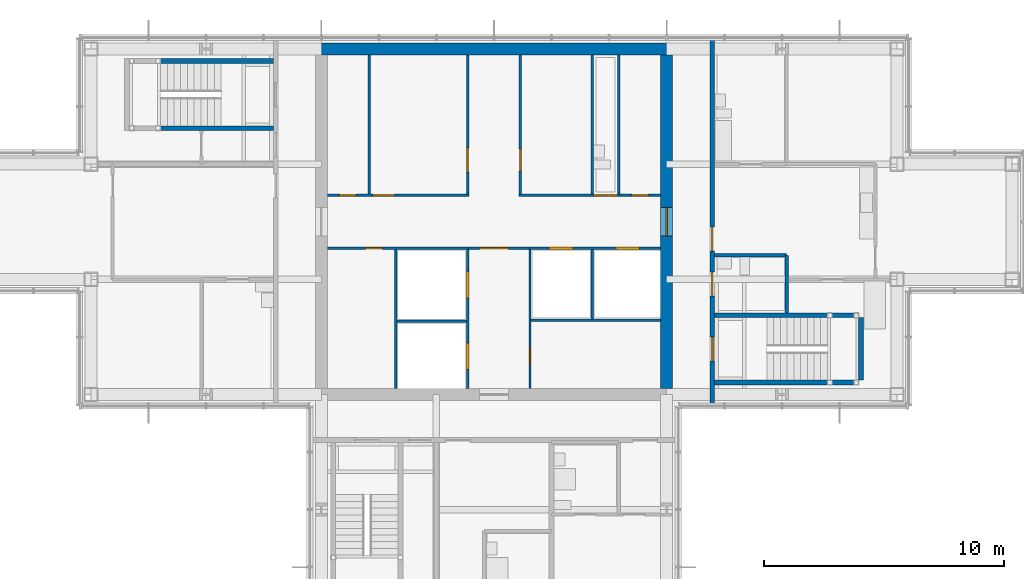
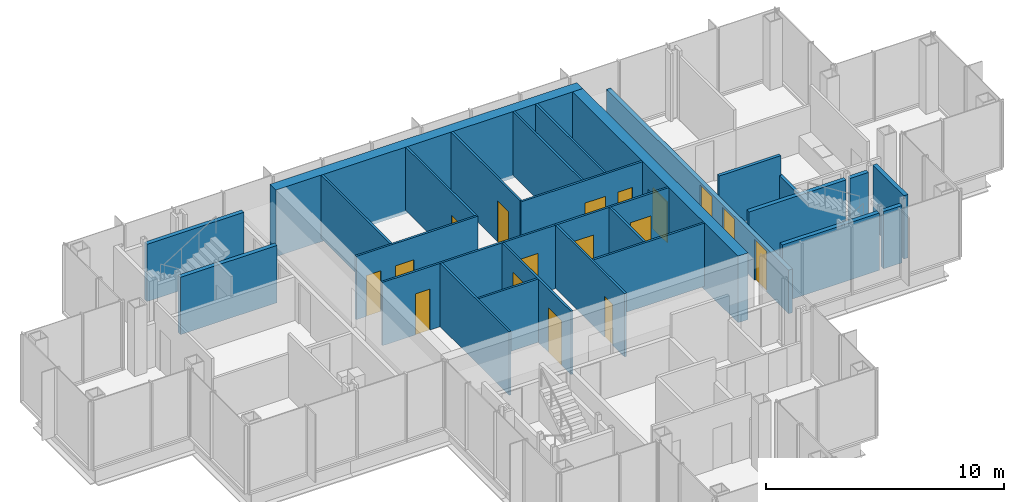
# One storey, part 11 of 15: 28 walls, 17 doors, 17 openings.
"""IFC4 building model written with IfcOpenShell, lengths in metres."""

from ifc_helpers import new_model, si_unit, direction, frame, frame_2d, origin, place, context, subcontext, project, spatial, rectangle, extrude, material, layer, layer_set, type_object, element, fill, save


model = new_model("IFC4")

# Units and contexts
model_context = context("Model", 3, precision=1e-05, world=origin(), true_north=direction((0.0, 1.0)))
body_context = subcontext(model_context, "Body", "Model", "MODEL_VIEW")
ifc_project = project(units=[si_unit("LENGTHUNIT", "METRE"), si_unit("AREAUNIT", "SQUARE_METRE"), si_unit("VOLUMEUNIT", "CUBIC_METRE"), si_unit("PLANEANGLEUNIT", "RADIAN"), si_unit("MASSUNIT", "GRAM", prefix="KILO")], contexts=[model_context])

# Site, building, storey
site_placement = place(None, origin())
site = spatial("IfcSite", under=ifc_project, at=site_placement, CompositionType="ELEMENT")
building_placement = place(site_placement, origin())
building = spatial("IfcBuilding", under=site, at=building_placement, Name="Kvirike Care Tower", CompositionType="ELEMENT")
storey_placement = place(building_placement, frame((0.0, 0.0, 240.0)))
storey = spatial("IfcBuildingStorey", under=building, at=storey_placement, Name="L66", CompositionType="ELEMENT", Elevation=240.0)

# Walls
ifc_material_1 = material(Name="Moisture-resistant board partition", Category="gypsum")
ifc_layer_1 = layer(ifc_material_1, 0.14990234375)
ifc_layer_set_1 = layer_set([ifc_layer_1], Name="BATHROOM WALL 150")
wall_type_1 = type_object("IfcWallType", Name="BATHROOM WALL 150", PredefinedType="PARTITIONING", material=ifc_layer_set_1)
wall_1_placement = place(storey_placement, frame((33.800048828125, 32.199951171875, 0.0), z_axis=(0.0, 0.0, 1.0), x_axis=(0.0, 1.0, 0.0)))
element("IfcWall", 1, at=wall_1_placement, inside=storey, type_object=wall_type_1, Name="Bathroom Wall 150 L66", PredefinedType="PARTITIONING", context=body_context, shape_type="SweptSolid", body=[
    extrude(rectangle(XDim=2.400146484375, YDim=0.14990234375, at=frame_2d((1.2001953125, 0.0))), origin(), (0.0, 0.0, 1.0), 2.239990234375),
])
wall_2_placement = place(storey_placement, frame((33.800048828125, 34.60009765625, 0.0), z_axis=(0.0, 0.0, 1.0), x_axis=(-1.0, 0.0, 0.0)))
element("IfcWall", 2, at=wall_2_placement, inside=storey, type_object=wall_type_1, Name="Bathroom Wall 150 L66", PredefinedType="PARTITIONING", context=body_context, shape_type="SweptSolid", body=[
    extrude(rectangle(XDim=3.0, YDim=0.14990234375, at=frame_2d((1.5, 0.0))), origin(), (0.0, 0.0, 1.0), 3.25),
])
ifc_material_2 = material(Name="Concrete C40/50", Category="concrete")
ifc_layer_2 = layer(ifc_material_2, 0.5)
ifc_layer_set_2 = layer_set([ifc_layer_2], Name="CORE WALL 500 C40-50")
wall_type_2 = type_object("IfcWallType", Name="CORE WALL 500 C40-50", PredefinedType="SHEAR", material=ifc_layer_set_2)
wall_3_placement = place(storey_placement, frame((29.050048828125, 43.199951171875, -0.169921875), z_axis=(0.0, 0.0, 1.0), x_axis=(-1.0, 0.0, 0.0)))
element("IfcWall", 3, at=wall_3_placement, inside=storey, type_object=wall_type_2, Name="Core wall N L66", PredefinedType="SHEAR", context=body_context, shape_type="SweptSolid", body=[
    extrude(rectangle(XDim=14.900146484375, YDim=0.5, at=frame_2d((7.4501953125, 0.0))), origin(), (0.0, 0.0, 1.0), 3.419921875),
])

# Wall, opening, door
wall_4_placement = place(storey_placement, frame((28.800048828125, 29.050048828125, -0.169921875), z_axis=(0.0, 0.0, 1.0), x_axis=(0.0, 1.0, 0.0)))
wall_4 = element("IfcWall", 4, at=wall_4_placement, inside=storey, type_object=wall_type_2, Name="Core wall E L66", PredefinedType="SHEAR", context=body_context, shape_type="SweptSolid", body=[
    extrude(rectangle(XDim=13.89990234375, YDim=0.5, at=frame_2d((6.949951171875, 0.0))), origin(), (0.0, 0.0, 1.0), 3.419921875),
])
opening_1_placement = place(wall_4_placement, frame((6.35009765625, 0.0, 0.169921875)))
opening_1 = element("IfcOpeningElement", 5, at=opening_1_placement, cuts=wall_4, Name="Opening 66-036", PredefinedType="OPENING", context=body_context, shape_type="SweptSolid", body=[
    extrude(rectangle(XDim=1.199951171875, YDim=2.10009765625, at=frame_2d((0.60009765625, 1.050048828125))), frame((0.0, 0.260498046875, 0.0), z_axis=(0.0, -1.0, 0.0), x_axis=(1.0, 0.0, 0.0)), (0.0, 0.0, 1.0), 0.52099609375),
])
ifc_material_3 = material(Name="Timber door set", Category="wood")
door_type_1 = type_object("IfcDoorType", Name="CORE DOOR 1200", OperationType="SINGLE_SWING_LEFT", PredefinedType="DOOR", material=ifc_material_3)
door_1_placement = place(opening_1_placement, origin())
door_1 = element("IfcDoor", 6, at=door_1_placement, inside=storey, type_object=door_type_1, Name="Core door E L66", OperationType="SINGLE_SWING_LEFT", OverallHeight=2.10009765625, OverallWidth=1.199951171875, PredefinedType="DOOR", context=body_context, shape_type="SweptSolid", body=[
    extrude(rectangle(XDim=1.199951171875, YDim=2.10009765625, at=frame_2d((0.60009765625, 1.050048828125))), frame((0.0, 0.02685546875, 0.0), z_axis=(0.0, -1.0, 0.0), x_axis=(1.0, 0.0, 0.0)), (0.0, 0.0, 1.0), 0.053955078125),
])
fill(opening_1, door_1)

# Wall, openings, doors
ifc_material_4 = material(Name="Plasterboard corridor wall", Category="gypsum")
ifc_layer_3 = layer(ifc_material_4, 0.199951171875)
ifc_layer_set_3 = layer_set([ifc_layer_3], Name="CORRIDOR WALL 200")
wall_type_3 = type_object("IfcWallType", Name="CORRIDOR WALL 200", PredefinedType="PARTITIONING", material=ifc_layer_set_3)
wall_5_placement = place(storey_placement, frame((30.699951171875, 28.344970703125, 0.0), z_axis=(0.0, 0.0, 1.0), x_axis=(0.0, 1.0, 0.0)))
wall_5 = element("IfcWall", 7, at=wall_5_placement, inside=storey, type_object=wall_type_3, Name="Corridor Wall 200 L66", PredefinedType="PARTITIONING", context=body_context, shape_type="SweptSolid", body=[
    extrude(rectangle(XDim=15.31005859375, YDim=0.199951171875, at=frame_2d((7.655029296875, 0.0))), origin(), (0.0, 0.0, 1.0), 2.239990234375),
])
opening_2_placement = place(wall_5_placement, frame((1.85498046875, 0.0, 0.0)))
opening_2 = element("IfcOpeningElement", 8, at=opening_2_placement, cuts=wall_5, Name="Opening 66-018", PredefinedType="OPENING", context=body_context, shape_type="SweptSolid", body=[
    extrude(rectangle(XDim=1.0, YDim=2.10009765625, at=frame_2d((0.5, 1.050048828125))), frame((0.0, 0.110595703125, 0.0), z_axis=(0.0, -1.0, 0.0), x_axis=(1.0, 0.0, 0.0)), (0.0, 0.0, 1.0), 0.220947265625),
])
opening_3_placement = place(wall_5_placement, frame((4.554931640625, 0.0, 0.0)))
opening_3 = element("IfcOpeningElement", 9, at=opening_3_placement, cuts=wall_5, Name="Opening 66-019", PredefinedType="OPENING", context=body_context, shape_type="SweptSolid", body=[
    extrude(rectangle(XDim=1.0, YDim=2.10009765625, at=frame_2d((0.5, 1.050048828125))), frame((0.0, 0.110595703125, 0.0), z_axis=(0.0, -1.0, 0.0), x_axis=(1.0, 0.0, 0.0)), (0.0, 0.0, 1.0), 0.220947265625),
])
opening_4_placement = place(wall_5_placement, frame((6.429931640625, 0.0, 0.0)))
opening_4 = element("IfcOpeningElement", 10, at=opening_4_placement, cuts=wall_5, Name="Opening 66-020", PredefinedType="OPENING", context=body_context, shape_type="SweptSolid", body=[
    extrude(rectangle(XDim=1.0, YDim=2.10009765625, at=frame_2d((0.5, 1.050048828125))), frame((0.0, 0.110595703125, 0.0), z_axis=(0.0, -1.0, 0.0), x_axis=(1.0, 0.0, 0.0)), (0.0, 0.0, 1.0), 0.220947265625),
])
ifc_material_5 = material(Name="Timber door set", Category="wood")
door_type_2 = type_object("IfcDoorType", Name="FLAT ENTRANCE DOOR 1000", OperationType="SINGLE_SWING_LEFT", PredefinedType="DOOR", material=ifc_material_5)
door_2_placement = place(opening_4_placement, frame((1.0, 0.0, 0.0), z_axis=(0.0, 0.0, 1.0), x_axis=(-1.0, 0.0, 0.0)))
door_2 = element("IfcDoor", 11, at=door_2_placement, inside=storey, type_object=door_type_2, Name="One-bedroom apartment entrance", OperationType="SINGLE_SWING_LEFT", OverallHeight=2.10009765625, OverallWidth=1.0, PredefinedType="DOOR", context=body_context, shape_type="SweptSolid", body=[
    extrude(rectangle(XDim=1.0, YDim=2.10009765625, at=frame_2d((0.5, 1.050048828125))), frame((0.0, 0.02685546875, 0.0), z_axis=(0.0, -1.0, 0.0), x_axis=(1.0, 0.0, 0.0)), (0.0, 0.0, 1.0), 0.053955078125),
])
fill(opening_4, door_2)
ifc_material_6 = material(Name="Timber door set", Category="wood")
door_type_3 = type_object("IfcDoorType", Name="STAIR DOOR 1000", OperationType="SINGLE_SWING_LEFT", PredefinedType="DOOR", material=ifc_material_6)
door_3_placement = place(opening_2_placement, frame((1.0, 0.0, 0.0), z_axis=(0.0, 0.0, 1.0), x_axis=(-1.0, 0.0, 0.0)))
door_3 = element("IfcDoor", 12, at=door_3_placement, inside=storey, type_object=door_type_3, Name="Stair 2 door", OperationType="SINGLE_SWING_RIGHT", OverallHeight=2.10009765625, OverallWidth=1.0, PredefinedType="DOOR", context=body_context, shape_type="SweptSolid", body=[
    extrude(rectangle(XDim=1.0, YDim=2.10009765625, at=frame_2d((0.5, 1.050048828125))), frame((0.0, 0.031982421875, 0.0), z_axis=(0.0, -1.0, 0.0), x_axis=(1.0, 0.0, 0.0)), (0.0, 0.0, 1.0), 0.06396484375),
])
fill(opening_2, door_3)
ifc_material_7 = material(Name="Timber door set", Category="wood")
door_type_4 = type_object("IfcDoorType", Name="WC DOOR 1000", OperationType="SINGLE_SWING_LEFT", PredefinedType="DOOR", material=ifc_material_7)
door_4_placement = place(opening_3_placement, frame((1.0, 0.0, 0.0), z_axis=(0.0, 0.0, 1.0), x_axis=(-1.0, 0.0, 0.0)))
door_4 = element("IfcDoor", 13, at=door_4_placement, inside=storey, type_object=door_type_4, Name="Accessible WC door", OperationType="SINGLE_SWING_LEFT", OverallHeight=2.10009765625, OverallWidth=1.0, PredefinedType="DOOR", context=body_context, shape_type="SweptSolid", body=[
    extrude(rectangle(XDim=1.0, YDim=2.10009765625, at=frame_2d((0.5, 1.050048828125))), frame((0.0, 0.02685546875, 0.0), z_axis=(0.0, -1.0, 0.0), x_axis=(1.0, 0.0, 0.0)), (0.0, 0.0, 1.0), 0.053955078125),
])
fill(opening_3, door_4)

# Walls
ifc_material_8 = material(Name="Gypsum shaft wall system", Category="gypsum")
ifc_layer_4 = layer(ifc_material_8, 0.10009765625)
ifc_layer_set_4 = layer_set([ifc_layer_4], Name="SHAFT WALL 100")
wall_type_4 = type_object("IfcWallType", Name="SHAFT WALL 100", PredefinedType="SOLIDWALL", material=ifc_layer_set_4)
for number, where, z_axis, x_axis, name in (
    (14, (16.39990234375, 37.14990234375, 0.0), (0.0, 0.0, 1.0), (0.0, 1.0, 0.0), "Shaft Wall 100 L66"),
    (15, (26.800048828125, 37.14990234375, 0.0), (0.0, 0.0, 1.0), (0.0, 1.0, 0.0), "Shaft Wall 100 L66"),
):
    element("IfcWall", number, at=place(storey_placement, frame(where, z_axis=z_axis, x_axis=x_axis)), inside=storey, type_object=wall_type_4, Name=name, PredefinedType="SOLIDWALL", context=body_context, shape_type="SweptSolid", body=[
        extrude(rectangle(XDim=5.800048828125, YDim=0.10009765625, at=frame_2d((2.89990234375, 0.0))), origin(), (0.0, 0.0, 1.0), 3.25),
    ])

# Wall, openings, doors
wall_6_placement = place(storey_placement, frame((20.5, 29.050048828125, 0.0), z_axis=(0.0, 0.0, 1.0), x_axis=(0.0, 1.0, 0.0)))
wall_6 = element("IfcWall", 16, at=wall_6_placement, inside=storey, type_object=wall_type_4, Name="Shaft Wall 100 L66", PredefinedType="SOLIDWALL", context=body_context, shape_type="SweptSolid", body=[
    extrude(rectangle(XDim=5.800048828125, YDim=0.10009765625, at=frame_2d((2.89990234375, 0.0))), origin(), (0.0, 0.0, 1.0), 3.25),
])
opening_5_placement = place(wall_6_placement, frame((0.800048828125, 0.0, 0.0)))
opening_5 = element("IfcOpeningElement", 17, at=opening_5_placement, cuts=wall_6, Name="Opening 66-021", PredefinedType="OPENING", context=body_context, shape_type="SweptSolid", body=[
    extrude(rectangle(XDim=1.10009765625, YDim=2.300048828125, at=frame_2d((0.550048828125, 1.14990234375))), frame((0.0, 0.060546875, 0.0), z_axis=(0.0, -1.0, 0.0), x_axis=(1.0, 0.0, 0.0)), (0.0, 0.0, 1.0), 0.12109375),
])
opening_6_placement = place(wall_6_placement, frame((3.77490234375, 0.0, 0.0)))
opening_6 = element("IfcOpeningElement", 18, at=opening_6_placement, cuts=wall_6, Name="Opening 66-022", PredefinedType="OPENING", context=body_context, shape_type="SweptSolid", body=[
    extrude(rectangle(XDim=1.10009765625, YDim=2.300048828125, at=frame_2d((0.550048828125, 1.14990234375))), frame((0.0, 0.060546875, 0.0), z_axis=(0.0, -1.0, 0.0), x_axis=(1.0, 0.0, 0.0)), (0.0, 0.0, 1.0), 0.12109375),
])
ifc_material_9 = material(Name="Aluminium door frame", Category="aluminium")
door_type_5 = type_object("IfcDoorType", Name="FIRE-FIGHTING LIFT LANDING DOOR 1100", OperationType="SLIDING_TO_LEFT", PredefinedType="DOOR", material=ifc_material_9)
door_5_placement = place(opening_5_placement, origin())
door_5 = element("IfcDoor", 19, at=door_5_placement, inside=storey, type_object=door_type_5, Name="Lift FF1 landing door", OperationType="SLIDING_TO_LEFT", OverallHeight=2.300048828125, OverallWidth=1.10009765625, PredefinedType="DOOR", context=body_context, shape_type="SweptSolid", body=[
    extrude(rectangle(XDim=1.10009765625, YDim=2.300048828125, at=frame_2d((0.550048828125, 1.14990234375))), frame((0.0, 0.0498046875, 0.0), z_axis=(0.0, -1.0, 0.0), x_axis=(1.0, 0.0, 0.0)), (0.0, 0.0, 1.0), 0.099609375),
])
fill(opening_5, door_5)
door_6_placement = place(opening_6_placement, origin())
door_6 = element("IfcDoor", 20, at=door_6_placement, inside=storey, type_object=door_type_5, Name="Lift FF2 landing door", OperationType="SLIDING_TO_LEFT", OverallHeight=2.300048828125, OverallWidth=1.10009765625, PredefinedType="DOOR", context=body_context, shape_type="SweptSolid", body=[
    extrude(rectangle(XDim=1.10009765625, YDim=2.300048828125, at=frame_2d((0.550048828125, 1.14990234375))), frame((0.0, 0.0498046875, 0.0), z_axis=(0.0, -1.0, 0.0), x_axis=(1.0, 0.0, 0.0)), (0.0, 0.0, 1.0), 0.099609375),
])
fill(opening_6, door_6)

# Wall, opening, door
wall_7_placement = place(storey_placement, frame((20.5, 37.14990234375, 0.0), z_axis=(0.0, 0.0, 1.0), x_axis=(0.0, 1.0, 0.0)))
wall_7 = element("IfcWall", 21, at=wall_7_placement, inside=storey, type_object=wall_type_4, Name="Shaft Wall 100 L66", PredefinedType="SOLIDWALL", context=body_context, shape_type="SweptSolid", body=[
    extrude(rectangle(XDim=5.800048828125, YDim=0.10009765625, at=frame_2d((2.89990234375, 0.0))), origin(), (0.0, 0.0, 1.0), 3.25),
])
opening_7_placement = place(wall_7_placement, frame((0.925048828125, 0.0, 0.0)))
opening_7 = element("IfcOpeningElement", 22, at=opening_7_placement, cuts=wall_7, Name="Opening 66-023", PredefinedType="OPENING", context=body_context, shape_type="SweptSolid", body=[
    extrude(rectangle(XDim=1.0, YDim=2.10009765625, at=frame_2d((0.5, 1.050048828125))), frame((0.0, 0.060546875, 0.0), z_axis=(0.0, -1.0, 0.0), x_axis=(1.0, 0.0, 0.0)), (0.0, 0.0, 1.0), 0.12109375),
])
door_7_placement = place(opening_7_placement, origin())
door_7 = element("IfcDoor", 23, at=door_7_placement, inside=storey, type_object=door_type_4, Name="Staff WC door", OperationType="SINGLE_SWING_RIGHT", OverallHeight=2.10009765625, OverallWidth=1.0, PredefinedType="DOOR", context=body_context, shape_type="SweptSolid", body=[
    extrude(rectangle(XDim=1.0, YDim=2.10009765625, at=frame_2d((0.5, 1.050048828125))), frame((0.0, 0.02685546875, 0.0), z_axis=(0.0, -1.0, 0.0), x_axis=(1.0, 0.0, 0.0)), (0.0, 0.0, 1.0), 0.053955078125),
])
fill(opening_7, door_7)

wall_8_placement = place(storey_placement, frame((22.699951171875, 37.14990234375, 0.0), z_axis=(0.0, 0.0, 1.0), x_axis=(0.0, 1.0, 0.0)))
wall_8 = element("IfcWall", 24, at=wall_8_placement, inside=storey, type_object=wall_type_4, Name="Shaft Wall 100 L66", PredefinedType="SOLIDWALL", context=body_context, shape_type="SweptSolid", body=[
    extrude(rectangle(XDim=5.800048828125, YDim=0.10009765625, at=frame_2d((2.89990234375, 0.0))), origin(), (0.0, 0.0, 1.0), 3.25),
])
opening_8_placement = place(wall_8_placement, frame((0.97509765625, 0.0, 0.0)))
opening_8 = element("IfcOpeningElement", 25, at=opening_8_placement, cuts=wall_8, Name="Opening 66-024", PredefinedType="OPENING", context=body_context, shape_type="SweptSolid", body=[
    extrude(rectangle(XDim=0.89990234375, YDim=2.10009765625, at=frame_2d((0.449951171875, 1.050048828125))), frame((0.0, 0.060546875, 0.0), z_axis=(0.0, -1.0, 0.0), x_axis=(1.0, 0.0, 0.0)), (0.0, 0.0, 1.0), 0.12109375),
])
ifc_material_10 = material(Name="Timber door set", Category="wood")
door_type_6 = type_object("IfcDoorType", Name="STORE DOOR 900", OperationType="SINGLE_SWING_LEFT", PredefinedType="DOOR", material=ifc_material_10)
door_8_placement = place(opening_8_placement, frame((0.89990234375, 0.0, 0.0), z_axis=(0.0, 0.0, 1.0), x_axis=(-1.0, 0.0, 0.0)))
door_8 = element("IfcDoor", 26, at=door_8_placement, inside=storey, type_object=door_type_6, Name="Housekeeping office door", OperationType="SINGLE_SWING_LEFT", OverallHeight=2.10009765625, OverallWidth=0.89990234375, PredefinedType="DOOR", context=body_context, shape_type="SweptSolid", body=[
    extrude(rectangle(XDim=0.89990234375, YDim=2.10009765625, at=frame_2d((0.449951171875, 1.050048828125))), frame((0.0, 0.02685546875, 0.0), z_axis=(0.0, -1.0, 0.0), x_axis=(1.0, 0.0, 0.0)), (0.0, 0.0, 1.0), 0.053955078125),
])
fill(opening_8, door_8)

wall_9_placement = place(storey_placement, frame((23.10009765625, 29.050048828125, 0.0), z_axis=(0.0, 0.0, 1.0), x_axis=(0.0, 1.0, 0.0)))
wall_9 = element("IfcWall", 27, at=wall_9_placement, inside=storey, type_object=wall_type_4, Name="Shaft Wall 100 L66", PredefinedType="SOLIDWALL", context=body_context, shape_type="SweptSolid", body=[
    extrude(rectangle(XDim=5.800048828125, YDim=0.10009765625, at=frame_2d((2.89990234375, 0.0))), origin(), (0.0, 0.0, 1.0), 3.25),
])
opening_9_placement = place(wall_9_placement, frame((1.0, 0.0, 0.0)))
opening_9 = element("IfcOpeningElement", 28, at=opening_9_placement, cuts=wall_9, Name="Opening 66-025", PredefinedType="OPENING", context=body_context, shape_type="SweptSolid", body=[
    extrude(rectangle(XDim=0.699951171875, YDim=2.10009765625, at=frame_2d((0.35009765625, 1.050048828125))), frame((0.0, 0.060546875, 0.0), z_axis=(0.0, -1.0, 0.0), x_axis=(1.0, 0.0, 0.0)), (0.0, 0.0, 1.0), 0.12109375),
])
ifc_material_11 = material(Name="Timber door set", Category="wood")
door_type_7 = type_object("IfcDoorType", Name="RISER DOOR 700", OperationType="SINGLE_SWING_LEFT", PredefinedType="DOOR", material=ifc_material_11)
door_9_placement = place(opening_9_placement, origin())
door_9 = element("IfcDoor", 29, at=door_9_placement, inside=storey, type_object=door_type_7, Name="Riser door", OperationType="SINGLE_SWING_RIGHT", OverallHeight=2.10009765625, OverallWidth=0.699951171875, PredefinedType="DOOR", context=body_context, shape_type="SweptSolid", body=[
    extrude(rectangle(XDim=0.699951171875, YDim=2.10009765625, at=frame_2d((0.35009765625, 1.050048828125))), frame((0.0, 0.02685546875, 0.0), z_axis=(0.0, -1.0, 0.0), x_axis=(1.0, 0.0, 0.0)), (0.0, 0.0, 1.0), 0.053955078125),
])
fill(opening_9, door_9)

wall_10_placement = place(storey_placement, frame((14.64990234375, 34.89990234375, 0.0), z_axis=(0.0, 0.0, 1.0), x_axis=(1.0, 0.0, 0.0)))
wall_10 = element("IfcWall", 30, at=wall_10_placement, inside=storey, type_object=wall_type_4, Name="Shaft Wall 100 L66", PredefinedType="SOLIDWALL", context=body_context, shape_type="SweptSolid", body=[
    extrude(rectangle(XDim=5.900146484375, YDim=0.10009765625, at=frame_2d((2.9501953125, 0.0))), origin(), (0.0, 0.0, 1.0), 3.25),
])
opening_10_placement = place(wall_10_placement, frame((1.60009765625, 0.0, 0.0)))
opening_10 = element("IfcOpeningElement", 31, at=opening_10_placement, cuts=wall_10, Name="Opening 66-026", PredefinedType="OPENING", context=body_context, shape_type="SweptSolid", body=[
    extrude(rectangle(XDim=0.699951171875, YDim=2.10009765625, at=frame_2d((0.35009765625, 1.050048828125))), frame((0.0, 0.060546875, 0.0), z_axis=(0.0, -1.0, 0.0), x_axis=(1.0, 0.0, 0.0)), (0.0, 0.0, 1.0), 0.12109375),
])
door_10_placement = place(opening_10_placement, frame((0.699951171875, 0.0, 0.0), z_axis=(0.0, 0.0, 1.0), x_axis=(-1.0, 0.0, 0.0)))
door_10 = element("IfcDoor", 32, at=door_10_placement, inside=storey, type_object=door_type_7, Name="Riser door", OperationType="SINGLE_SWING_RIGHT", OverallHeight=2.10009765625, OverallWidth=0.699951171875, PredefinedType="DOOR", context=body_context, shape_type="SweptSolid", body=[
    extrude(rectangle(XDim=0.699951171875, YDim=2.10009765625, at=frame_2d((0.35009765625, 1.050048828125))), frame((0.0, 0.02685546875, 0.0), z_axis=(0.0, -1.0, 0.0), x_axis=(1.0, 0.0, 0.0)), (0.0, 0.0, 1.0), 0.053955078125),
])
fill(opening_10, door_10)

# Wall, openings, doors
wall_11_placement = place(storey_placement, frame((23.050048828125, 34.89990234375, 0.0), z_axis=(0.0, 0.0, 1.0), x_axis=(1.0, 0.0, 0.0)))
wall_11 = element("IfcWall", 33, at=wall_11_placement, inside=storey, type_object=wall_type_4, Name="Shaft Wall 100 L66", PredefinedType="SOLIDWALL", context=body_context, shape_type="SweptSolid", body=[
    extrude(rectangle(XDim=5.5, YDim=0.10009765625, at=frame_2d((2.75, 0.0))), origin(), (0.0, 0.0, 1.0), 3.25),
])
opening_11_placement = place(wall_11_placement, frame((0.85009765625, 0.0, 0.0)))
opening_11 = element("IfcOpeningElement", 34, at=opening_11_placement, cuts=wall_11, Name="Opening 66-027", PredefinedType="OPENING", context=body_context, shape_type="SweptSolid", body=[
    extrude(rectangle(XDim=1.0, YDim=2.10009765625, at=frame_2d((0.5, 1.050048828125))), frame((0.0, 0.060546875, 0.0), z_axis=(0.0, -1.0, 0.0), x_axis=(1.0, 0.0, 0.0)), (0.0, 0.0, 1.0), 0.12109375),
])
opening_12_placement = place(wall_11_placement, frame((3.625, 0.0, 0.0)))
opening_12 = element("IfcOpeningElement", 35, at=opening_12_placement, cuts=wall_11, Name="Opening 66-028", PredefinedType="OPENING", context=body_context, shape_type="SweptSolid", body=[
    extrude(rectangle(XDim=1.0, YDim=2.10009765625, at=frame_2d((0.5, 1.050048828125))), frame((0.0, 0.060546875, 0.0), z_axis=(0.0, -1.0, 0.0), x_axis=(1.0, 0.0, 0.0)), (0.0, 0.0, 1.0), 0.12109375),
])
ifc_material_12 = material(Name="Aluminium door frame", Category="aluminium")
door_type_8 = type_object("IfcDoorType", Name="LIFT LANDING DOOR 1000", OperationType="SLIDING_TO_LEFT", PredefinedType="DOOR", material=ifc_material_12)
door_11_placement = place(opening_11_placement, origin())
door_11 = element("IfcDoor", 36, at=door_11_placement, inside=storey, type_object=door_type_8, Name="Lift P5 landing door", OperationType="SLIDING_TO_LEFT", OverallHeight=2.10009765625, OverallWidth=1.0, PredefinedType="DOOR", context=body_context, shape_type="SweptSolid", body=[
    extrude(rectangle(XDim=1.0, YDim=2.10009765625, at=frame_2d((0.5, 1.050048828125))), frame((0.0, 0.0498046875, 0.0), z_axis=(0.0, -1.0, 0.0), x_axis=(1.0, 0.0, 0.0)), (0.0, 0.0, 1.0), 0.099609375),
])
fill(opening_11, door_11)
door_12_placement = place(opening_12_placement, origin())
door_12 = element("IfcDoor", 37, at=door_12_placement, inside=storey, type_object=door_type_8, Name="Lift P6 landing door", OperationType="SLIDING_TO_LEFT", OverallHeight=2.10009765625, OverallWidth=1.0, PredefinedType="DOOR", context=body_context, shape_type="SweptSolid", body=[
    extrude(rectangle(XDim=1.0, YDim=2.10009765625, at=frame_2d((0.5, 1.050048828125))), frame((0.0, 0.0498046875, 0.0), z_axis=(0.0, -1.0, 0.0), x_axis=(1.0, 0.0, 0.0)), (0.0, 0.0, 1.0), 0.099609375),
])
fill(opening_12, door_12)

wall_12_placement = place(storey_placement, frame((14.64990234375, 37.10009765625, 0.0), z_axis=(0.0, 0.0, 1.0), x_axis=(1.0, 0.0, 0.0)))
wall_12 = element("IfcWall", 38, at=wall_12_placement, inside=storey, type_object=wall_type_4, Name="Shaft Wall 100 L66", PredefinedType="SOLIDWALL", context=body_context, shape_type="SweptSolid", body=[
    extrude(rectangle(XDim=5.900146484375, YDim=0.10009765625, at=frame_2d((2.9501953125, 0.0))), origin(), (0.0, 0.0, 1.0), 3.25),
])
opening_13_placement = place(wall_12_placement, frame((0.5, 0.0, 0.0)))
opening_13 = element("IfcOpeningElement", 39, at=opening_13_placement, cuts=wall_12, Name="Opening 66-029", PredefinedType="OPENING", context=body_context, shape_type="SweptSolid", body=[
    extrude(rectangle(XDim=0.699951171875, YDim=2.10009765625, at=frame_2d((0.35009765625, 1.050048828125))), frame((0.0, 0.060546875, 0.0), z_axis=(0.0, -1.0, 0.0), x_axis=(1.0, 0.0, 0.0)), (0.0, 0.0, 1.0), 0.12109375),
])
opening_14_placement = place(wall_12_placement, frame((1.89990234375, 0.0, 0.0)))
opening_14 = element("IfcOpeningElement", 40, at=opening_14_placement, cuts=wall_12, Name="Opening 66-030", PredefinedType="OPENING", context=body_context, shape_type="SweptSolid", body=[
    extrude(rectangle(XDim=0.89990234375, YDim=2.10009765625, at=frame_2d((0.449951171875, 1.050048828125))), frame((0.0, 0.060546875, 0.0), z_axis=(0.0, -1.0, 0.0), x_axis=(1.0, 0.0, 0.0)), (0.0, 0.0, 1.0), 0.12109375),
])
door_13_placement = place(opening_13_placement, origin())
door_13 = element("IfcDoor", 41, at=door_13_placement, inside=storey, type_object=door_type_7, Name="Riser door", OperationType="SINGLE_SWING_RIGHT", OverallHeight=2.10009765625, OverallWidth=0.699951171875, PredefinedType="DOOR", context=body_context, shape_type="SweptSolid", body=[
    extrude(rectangle(XDim=0.699951171875, YDim=2.10009765625, at=frame_2d((0.35009765625, 1.050048828125))), frame((0.0, 0.02685546875, 0.0), z_axis=(0.0, -1.0, 0.0), x_axis=(1.0, 0.0, 0.0)), (0.0, 0.0, 1.0), 0.053955078125),
])
fill(opening_13, door_13)
door_14_placement = place(opening_14_placement, origin())
door_14 = element("IfcDoor", 42, at=door_14_placement, inside=storey, type_object=door_type_6, Name="Staff changing room door", OperationType="SINGLE_SWING_RIGHT", OverallHeight=2.10009765625, OverallWidth=0.89990234375, PredefinedType="DOOR", context=body_context, shape_type="SweptSolid", body=[
    extrude(rectangle(XDim=0.89990234375, YDim=2.10009765625, at=frame_2d((0.449951171875, 1.050048828125))), frame((0.0, 0.02685546875, 0.0), z_axis=(0.0, -1.0, 0.0), x_axis=(1.0, 0.0, 0.0)), (0.0, 0.0, 1.0), 0.053955078125),
])
fill(opening_14, door_14)

wall_13_placement = place(storey_placement, frame((22.64990234375, 37.10009765625, 0.0), z_axis=(0.0, 0.0, 1.0), x_axis=(1.0, 0.0, 0.0)))
wall_13 = element("IfcWall", 43, at=wall_13_placement, inside=storey, type_object=wall_type_4, Name="Shaft Wall 100 L66", PredefinedType="SOLIDWALL", context=body_context, shape_type="SweptSolid", body=[
    extrude(rectangle(XDim=5.900146484375, YDim=0.10009765625, at=frame_2d((2.9501953125, 0.0))), origin(), (0.0, 0.0, 1.0), 3.25),
])
opening_15_placement = place(wall_13_placement, frame((3.10009765625, 0.0, 0.0)))
opening_15 = element("IfcOpeningElement", 44, at=opening_15_placement, cuts=wall_13, Name="Opening 66-031", PredefinedType="OPENING", context=body_context, shape_type="SweptSolid", body=[
    extrude(rectangle(XDim=1.0, YDim=2.10009765625, at=frame_2d((0.5, 1.050048828125))), frame((0.0, 0.060546875, 0.0), z_axis=(0.0, -1.0, 0.0), x_axis=(1.0, 0.0, 0.0)), (0.0, 0.0, 1.0), 0.12109375),
])
opening_16_placement = place(wall_13_placement, frame((4.699951171875, 0.0, 0.0)))
opening_16 = element("IfcOpeningElement", 45, at=opening_16_placement, cuts=wall_13, Name="Opening 66-032", PredefinedType="OPENING", context=body_context, shape_type="SweptSolid", body=[
    extrude(rectangle(XDim=0.699951171875, YDim=2.10009765625, at=frame_2d((0.35009765625, 1.050048828125))), frame((0.0, 0.060546875, 0.0), z_axis=(0.0, -1.0, 0.0), x_axis=(1.0, 0.0, 0.0)), (0.0, 0.0, 1.0), 0.12109375),
])
door_15_placement = place(opening_16_placement, origin())
door_15 = element("IfcDoor", 46, at=door_15_placement, inside=storey, type_object=door_type_7, Name="Riser door", OperationType="SINGLE_SWING_LEFT", OverallHeight=2.10009765625, OverallWidth=0.699951171875, PredefinedType="DOOR", context=body_context, shape_type="SweptSolid", body=[
    extrude(rectangle(XDim=0.699951171875, YDim=2.10009765625, at=frame_2d((0.35009765625, 1.050048828125))), frame((0.0, 0.02685546875, 0.0), z_axis=(0.0, -1.0, 0.0), x_axis=(1.0, 0.0, 0.0)), (0.0, 0.0, 1.0), 0.053955078125),
])
fill(opening_16, door_15)
door_16_placement = place(opening_15_placement, origin())
door_16 = element("IfcDoor", 47, at=door_16_placement, inside=storey, type_object=door_type_4, Name="Staff WC door", OperationType="SINGLE_SWING_RIGHT", OverallHeight=2.10009765625, OverallWidth=1.0, PredefinedType="DOOR", context=body_context, shape_type="SweptSolid", body=[
    extrude(rectangle(XDim=1.0, YDim=2.10009765625, at=frame_2d((0.5, 1.050048828125))), frame((0.0, 0.02685546875, 0.0), z_axis=(0.0, -1.0, 0.0), x_axis=(1.0, 0.0, 0.0)), (0.0, 0.0, 1.0), 0.053955078125),
])
fill(opening_15, door_16)

# Wall, opening, door
wall_14_placement = place(storey_placement, frame((20.550048828125, 34.89990234375, 0.0), z_axis=(0.0, 0.0, 1.0), x_axis=(1.0, 0.0, 0.0)))
wall_14 = element("IfcWall", 48, at=wall_14_placement, inside=storey, type_object=wall_type_4, Name="Shaft Wall 100 L66", PredefinedType="SOLIDWALL", context=body_context, shape_type="SweptSolid", body=[
    extrude(rectangle(XDim=2.5, YDim=0.10009765625, at=frame_2d((1.25, 0.0))), origin(), (0.0, 0.0, 1.0), 3.25),
])
opening_17_placement = place(wall_14_placement, frame((0.449951171875, 0.0, 0.0)))
opening_17 = element("IfcOpeningElement", 49, at=opening_17_placement, cuts=wall_14, Name="Opening 66-033", PredefinedType="OPENING", context=body_context, shape_type="SweptSolid", body=[
    extrude(rectangle(XDim=1.199951171875, YDim=2.10009765625, at=frame_2d((0.60009765625, 1.050048828125))), frame((0.0, 0.060546875, 0.0), z_axis=(0.0, -1.0, 0.0), x_axis=(1.0, 0.0, 0.0)), (0.0, 0.0, 1.0), 0.12109375),
])
door_17_placement = place(opening_17_placement, frame((1.199951171875, 0.0, 0.0), z_axis=(0.0, 0.0, 1.0), x_axis=(-1.0, 0.0, 0.0)))
door_17 = element("IfcDoor", 50, at=door_17_placement, inside=storey, type_object=door_type_1, Name="Fire-fighting lobby door", OperationType="SINGLE_SWING_LEFT", OverallHeight=2.10009765625, OverallWidth=1.199951171875, PredefinedType="DOOR", context=body_context, shape_type="SweptSolid", body=[
    extrude(rectangle(XDim=1.199951171875, YDim=2.10009765625, at=frame_2d((0.60009765625, 1.050048828125))), frame((0.0, 0.02685546875, 0.0), z_axis=(0.0, -1.0, 0.0), x_axis=(1.0, 0.0, 0.0)), (0.0, 0.0, 1.0), 0.053955078125),
])
fill(opening_17, door_17)

# Walls
wall_15_placement = place(storey_placement, frame((17.5, 29.050048828125, 0.0), z_axis=(0.0, 0.0, 1.0), x_axis=(0.0, 1.0, 0.0)))
element("IfcWall", 51, at=wall_15_placement, inside=storey, type_object=wall_type_4, Name="Shaft Wall 100 L66", PredefinedType="SOLIDWALL", context=body_context, shape_type="SweptSolid", body=[
    extrude(rectangle(XDim=5.800048828125, YDim=0.10009765625, at=frame_2d((2.89990234375, 0.0))), origin(), (0.0, 0.0, 1.0), 3.25),
])
wall_16_placement = place(storey_placement, frame((17.550048828125, 31.85009765625, 0.0), z_axis=(0.0, 0.0, 1.0), x_axis=(1.0, 0.0, 0.0)))
element("IfcWall", 52, at=wall_16_placement, inside=storey, type_object=wall_type_4, Name="Shaft Wall 100 L66", PredefinedType="SOLIDWALL", context=body_context, shape_type="SweptSolid", body=[
    extrude(rectangle(XDim=2.89990234375, YDim=0.10009765625, at=frame_2d((1.449951171875, 0.0))), origin(), (0.0, 0.0, 1.0), 3.25),
])
wall_17_placement = place(storey_placement, frame((25.699951171875, 37.14990234375, 0.0), z_axis=(0.0, 0.0, 1.0), x_axis=(0.0, 1.0, 0.0)))
element("IfcWall", 53, at=wall_17_placement, inside=storey, type_object=wall_type_4, Name="Shaft Wall 100 L66", PredefinedType="SOLIDWALL", context=body_context, shape_type="SweptSolid", body=[
    extrude(rectangle(XDim=5.800048828125, YDim=0.10009765625, at=frame_2d((2.89990234375, 0.0))), origin(), (0.0, 0.0, 1.0), 3.25),
])
wall_18_placement = place(storey_placement, frame((25.699951171875, 31.949951171875, 0.0), z_axis=(0.0, 0.0, 1.0), x_axis=(0.0, 1.0, 0.0)))
element("IfcWall", 54, at=wall_18_placement, inside=storey, type_object=wall_type_4, Name="Shaft Wall 100 L66", PredefinedType="SOLIDWALL", context=body_context, shape_type="SweptSolid", body=[
    extrude(rectangle(XDim=2.900146484375, YDim=0.10009765625, at=frame_2d((1.4501953125, 0.0))), origin(), (0.0, 0.0, 1.0), 3.25),
])
wall_19_placement = place(storey_placement, frame((23.14990234375, 31.89990234375, 0.0), z_axis=(0.0, 0.0, 1.0), x_axis=(1.0, 0.0, 0.0)))
element("IfcWall", 55, at=wall_19_placement, inside=storey, type_object=wall_type_4, Name="Shaft Wall 100 L66", PredefinedType="SOLIDWALL", context=body_context, shape_type="SweptSolid", body=[
    extrude(rectangle(XDim=5.400146484375, YDim=0.10009765625, at=frame_2d((2.7001953125, 0.0))), origin(), (0.0, 0.0, 1.0), 3.25),
])
ifc_material_13 = material(Name="Concrete C40/50", Category="concrete")
ifc_layer_5 = layer(ifc_material_13, 0.199951171875)
ifc_layer_set_5 = layer_set([ifc_layer_5], Name="STAIR WALL 200")
wall_type_5 = type_object("IfcWallType", Name="STAIR WALL 200", PredefinedType="SOLIDWALL", material=ifc_layer_set_5)
for number, where, z_axis, x_axis, name in (
    (56, (7.699951171875, 42.699951171875, 0.0), (0.0, 0.0, 1.0), (1.0, 0.0, 0.0), "Stair Wall 200 L66"),
    (57, (7.699951171875, 39.89990234375, 0.0), (0.0, 0.0, 1.0), (1.0, 0.0, 0.0), "Stair Wall 200 L66"),
):
    element("IfcWall", number, at=place(storey_placement, frame(where, z_axis=z_axis, x_axis=x_axis)), inside=storey, type_object=wall_type_5, Name=name, PredefinedType="SOLIDWALL", context=body_context, shape_type="SweptSolid", body=[
        extrude(rectangle(XDim=4.699951171875, YDim=0.199951171875, at=frame_2d((2.35009765625, 0.0))), origin(), (0.0, 0.0, 1.0), 2.93994140625),
    ])
wall_20_placement = place(storey_placement, frame((36.60009765625, 29.300048828125, 0.0), z_axis=(0.0, 0.0, 1.0), x_axis=(-1.0, 0.0, 0.0)))
element("IfcWall", 58, at=wall_20_placement, inside=storey, type_object=wall_type_5, Name="Stair Wall 200 L66", PredefinedType="SOLIDWALL", context=body_context, shape_type="SweptSolid", body=[
    extrude(rectangle(XDim=0.900146484375, YDim=0.199951171875, at=frame_2d((0.4501953125, 0.0))), origin(), (0.0, 0.0, 1.0), 2.93994140625),
])
wall_21_placement = place(storey_placement, frame((35.5, 29.300048828125, 0.0), z_axis=(0.0, 0.0, 1.0), x_axis=(-1.0, 0.0, 0.0)))
element("IfcWall", 59, at=wall_21_placement, inside=storey, type_object=wall_type_5, Name="Stair Wall 200 L66", PredefinedType="SOLIDWALL", context=body_context, shape_type="SweptSolid", body=[
    extrude(rectangle(XDim=4.699951171875, YDim=0.199951171875, at=frame_2d((2.35009765625, 0.0))), origin(), (0.0, 0.0, 1.0), 2.93994140625),
])
wall_22_placement = place(storey_placement, frame((36.60009765625, 32.10009765625, 0.0), z_axis=(0.0, 0.0, 1.0), x_axis=(-1.0, 0.0, 0.0)))
element("IfcWall", 60, at=wall_22_placement, inside=storey, type_object=wall_type_5, Name="Stair Wall 200 L66", PredefinedType="SOLIDWALL", context=body_context, shape_type="SweptSolid", body=[
    extrude(rectangle(XDim=0.900146484375, YDim=0.199951171875, at=frame_2d((0.4501953125, 0.0))), origin(), (0.0, 0.0, 1.0), 2.93994140625),
])
wall_23_placement = place(storey_placement, frame((35.5, 32.10009765625, 0.0), z_axis=(0.0, 0.0, 1.0), x_axis=(-1.0, 0.0, 0.0)))
element("IfcWall", 61, at=wall_23_placement, inside=storey, type_object=wall_type_5, Name="Stair Wall 200 L66", PredefinedType="SOLIDWALL", context=body_context, shape_type="SweptSolid", body=[
    extrude(rectangle(XDim=4.699951171875, YDim=0.199951171875, at=frame_2d((2.35009765625, 0.0))), origin(), (0.0, 0.0, 1.0), 2.93994140625),
])
wall_24_placement = place(storey_placement, frame((36.89990234375, 29.39990234375, 0.0), z_axis=(0.0, 0.0, 1.0), x_axis=(0.0, 1.0, 0.0)))
element("IfcWall", 62, at=wall_24_placement, inside=storey, type_object=wall_type_5, Name="Stair Wall 200 L66", PredefinedType="SOLIDWALL", context=body_context, shape_type="SweptSolid", body=[
    extrude(rectangle(XDim=2.60009765625, YDim=0.199951171875, at=frame_2d((1.300048828125, 0.0))), origin(), (0.0, 0.0, 1.0), 3.25),
])

save(model, "model.ifc")
